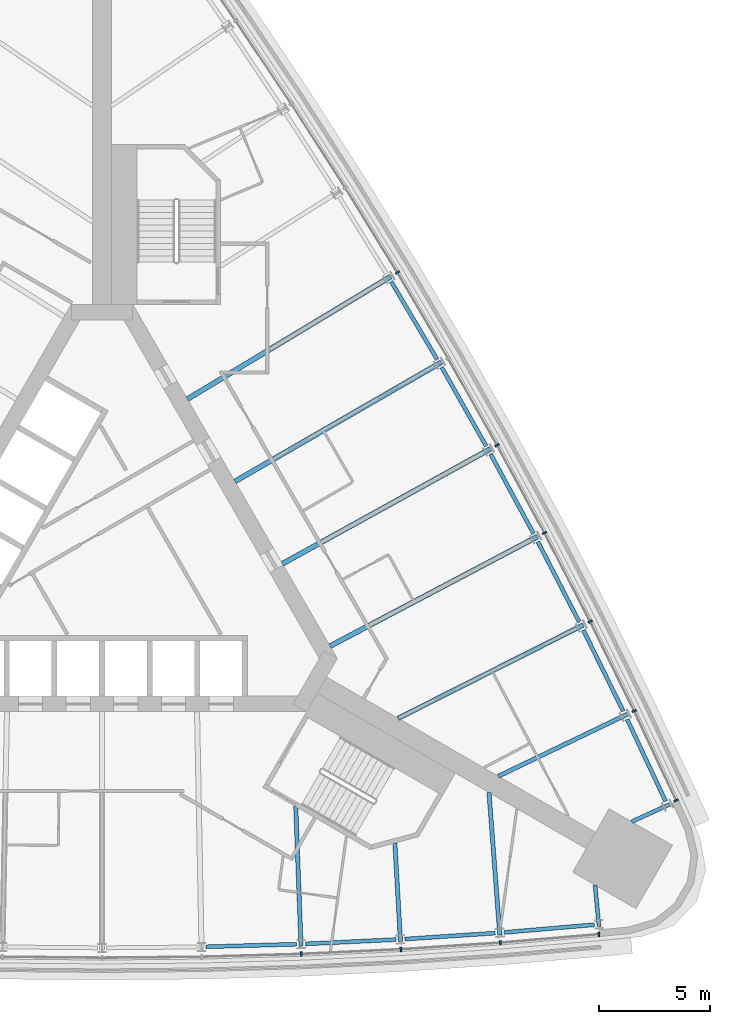
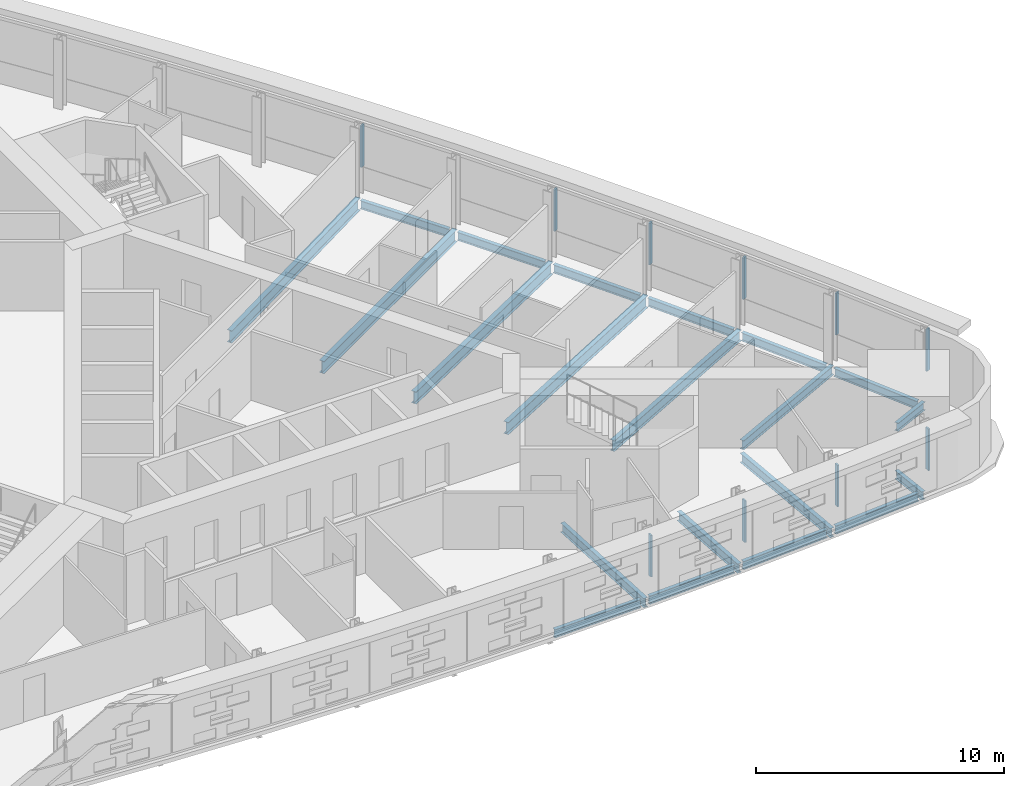
# One storey, part 6 of 15: 21 beams, 10 members, 2 elements without a shape of their own.
"""IFC4 building model written with IfcOpenShell, lengths in metres."""

from ifc_helpers import new_model, si_unit, direction, frame, origin, origin_2d, place, context, subcontext, project, spatial, rectangle, i_section, extrude, material, material_profile, profile_set, type_object, element, aggregate, save


model = new_model("IFC4")

# Units and contexts
model_context = context("Model", 3, precision=1e-05, world=origin(), true_north=direction((0.0, 1.0)))
body_context = subcontext(model_context, "Body", "Model", "MODEL_VIEW")
ifc_project = project(units=[si_unit("LENGTHUNIT", "METRE"), si_unit("AREAUNIT", "SQUARE_METRE"), si_unit("VOLUMEUNIT", "CUBIC_METRE"), si_unit("PLANEANGLEUNIT", "RADIAN"), si_unit("MASSUNIT", "GRAM", prefix="KILO")], contexts=[model_context])

# Site, building, storey
site_placement = place(None, origin())
site = spatial("IfcSite", under=ifc_project, at=site_placement, CompositionType="ELEMENT")
building_placement = place(site_placement, origin())
building = spatial("IfcBuilding", under=site, at=building_placement, Name="Noor Cloister Tower", CompositionType="ELEMENT")
storey_placement = place(building_placement, frame((0.0, 0.0, 45.60009765625)))
storey = spatial("IfcBuildingStorey", under=building, at=storey_placement, Name="L11", CompositionType="ELEMENT", Elevation=45.60009765625)

# Curtain wall, members
ifc_material_1 = material(Name="Aluminium 6063-T6 anodised", Category="aluminium")
curtain_wall_type = type_object("IfcCurtainWallType", Name="Ribbon curtain wall, lower tower CW1", PredefinedType="NOTDEFINED", material=ifc_material_1)
curtain_wall_1_placement = place(storey_placement, origin())
curtain_wall_1 = element("IfcCurtainWall", 1, at=curtain_wall_1_placement, inside=storey, type_object=curtain_wall_type, Name="CW1 L11 S run 2", PredefinedType="NOTDEFINED")
ifc_material_2 = material(Name="Aluminium 6063-T6 anodised", Category="aluminium")
ifc_material_profile_1 = material_profile(ifc_material_2, rectangle(XDim=0.199951171875, YDim=0.080078125, at=origin_2d()), Name="200 x 80 mullion")
ifc_profile_set_1 = profile_set([ifc_material_profile_1], Name="Aluminium 6063-T6 anodised")
member_type = type_object("IfcMemberType", Name="Mullion CW1 80 x 200", PredefinedType="MULLION", material=ifc_profile_set_1)
member_1_placement = place(storey_placement, frame((8.994140625, -17.861083984375, 1.099853515625), z_axis=(0.0, 0.0, 1.0), x_axis=(-0.037822767995, 0.999284463114, 0.0)))
member_1 = element("IfcMember", 2, at=member_1_placement, type_object=member_type, Name="CW1 mullion 8", PredefinedType="MULLION", context=body_context, shape_type="SweptSolid", body=[
    extrude(rectangle(XDim=0.199951171875, YDim=0.080078125, at=origin_2d()), origin(), (0.0, 0.0, 1.0), 2.050048828125),
])
member_2_placement = place(storey_placement, frame((13.487060546875, -17.6484375, 1.099853515625), z_axis=(0.0, 0.0, 1.0), x_axis=(-0.056717235133, 0.998390282023, 0.0)))
member_2 = element("IfcMember", 3, at=member_2_placement, type_object=member_type, Name="CW1 mullion 9", PredefinedType="MULLION", context=body_context, shape_type="SweptSolid", body=[
    extrude(rectangle(XDim=0.199951171875, YDim=0.080078125, at=origin_2d()), origin(), (0.0, 0.0, 1.0), 2.050048828125),
])
member_3_placement = place(storey_placement, frame((17.975341796875, -17.350830078125, 1.099853515625), z_axis=(0.0, 0.0, 1.0), x_axis=(-0.075591408818, 0.997138876442, 0.0)))
member_3 = element("IfcMember", 4, at=member_3_placement, type_object=member_type, Name="CW1 mullion 10", PredefinedType="MULLION", context=body_context, shape_type="SweptSolid", body=[
    extrude(rectangle(XDim=0.199951171875, YDim=0.080078125, at=origin_2d()), origin(), (0.0, 0.0, 1.0), 2.050048828125),
])
member_4_placement = place(storey_placement, frame((22.418212890625, -16.9716796875, 1.099853515625), z_axis=(0.0, 0.0, 1.0), x_axis=(-0.085018766201, 0.996379350144, 0.0)))
member_4 = element("IfcMember", 5, at=member_4_placement, type_object=member_type, Name="CW1 mullion 11", PredefinedType="MULLION", context=body_context, shape_type="SweptSolid", body=[
    extrude(rectangle(XDim=0.199951171875, YDim=0.080078125, at=origin_2d()), origin(), (0.0, 0.0, 1.0), 2.050048828125),
])
aggregate(curtain_wall_1, [member_1, member_2, member_3, member_4])

curtain_wall_2_placement = place(storey_placement, origin())
curtain_wall_2 = element("IfcCurtainWall", 6, at=curtain_wall_2_placement, inside=storey, type_object=curtain_wall_type, Name="CW1 L11 NE run 3", PredefinedType="NOTDEFINED")
member_5_placement = place(storey_placement, frame((25.906982421875, -10.9287109375, 1.099853515625), z_axis=(0.0, 0.0, 1.0), x_axis=(-0.905399212131, -0.424561263744, 0.0)))
member_5 = element("IfcMember", 7, at=member_5_placement, type_object=member_type, Name="CW1 mullion 1", PredefinedType="MULLION", context=body_context, shape_type="SweptSolid", body=[
    extrude(rectangle(XDim=0.199951171875, YDim=0.080078125, at=origin_2d()), origin(), (0.0, 0.0, 1.0), 2.050048828125),
])
member_6_placement = place(storey_placement, frame((24.013916015625, -6.8916015625, 1.099853515625), z_axis=(0.0, 0.0, 1.0), x_axis=(-0.901343302509, -0.433105357877, 0.0)))
member_6 = element("IfcMember", 8, at=member_6_placement, type_object=member_type, Name="CW1 mullion 2", PredefinedType="MULLION", context=body_context, shape_type="SweptSolid", body=[
    extrude(rectangle(XDim=0.199951171875, YDim=0.080078125, at=origin_2d()), origin(), (0.0, 0.0, 1.0), 2.050048828125),
])
member_7_placement = place(storey_placement, frame((22.027587890625, -2.85595703125, 1.099853515625), z_axis=(0.0, 0.0, 1.0), x_axis=(-0.89298996469, -0.450076574554, 0.0)))
member_7 = element("IfcMember", 9, at=member_7_placement, type_object=member_type, Name="CW1 mullion 3", PredefinedType="MULLION", context=body_context, shape_type="SweptSolid", body=[
    extrude(rectangle(XDim=0.199951171875, YDim=0.080078125, at=origin_2d()), origin(), (0.0, 0.0, 1.0), 2.050048828125),
])
member_8_placement = place(storey_placement, frame((19.965087890625, 1.141357421875, 1.099853515625), z_axis=(0.0, 0.0, 1.0), x_axis=(-0.884317114661, -0.466886753632, 0.0)))
member_8 = element("IfcMember", 10, at=member_8_placement, type_object=member_type, Name="CW1 mullion 4", PredefinedType="MULLION", context=body_context, shape_type="SweptSolid", body=[
    extrude(rectangle(XDim=0.199951171875, YDim=0.080078125, at=origin_2d()), origin(), (0.0, 0.0, 1.0), 2.050048828125),
])
member_9_placement = place(storey_placement, frame((17.82763671875, 5.09912109375, 1.099853515625), z_axis=(0.0, 0.0, 1.0), x_axis=(-0.875327855572, -0.48352988042, 0.0)))
member_9 = element("IfcMember", 11, at=member_9_placement, type_object=member_type, Name="CW1 mullion 5", PredefinedType="MULLION", context=body_context, shape_type="SweptSolid", body=[
    extrude(rectangle(XDim=0.199951171875, YDim=0.080078125, at=origin_2d()), origin(), (0.0, 0.0, 1.0), 2.050048828125),
])
member_10_placement = place(storey_placement, frame((13.32958984375, 12.8896484375, 1.099853515625), z_axis=(0.0, 0.0, 1.0), x_axis=(-0.856413087719, -0.516291219356, 0.0)))
member_10 = element("IfcMember", 12, at=member_10_placement, type_object=member_type, Name="CW1 mullion 7", PredefinedType="MULLION", context=body_context, shape_type="SweptSolid", body=[
    extrude(rectangle(XDim=0.199951171875, YDim=0.080078125, at=origin_2d()), origin(), (0.0, 0.0, 1.0), 2.050048828125),
])
aggregate(curtain_wall_2, [member_5, member_6, member_7, member_8, member_9, member_10])

# Beams
ifc_material_3 = material(Name="Steel ASTM A992 Gr 50", Category="steel")
ifc_material_profile_2 = material_profile(ifc_material_3, i_section(OverallWidth=0.177978515625, OverallDepth=0.406005859375, WebThickness=0.0078125, FlangeThickness=0.0126953125, FilletRadius=0.01025390625, at=origin_2d()), Name="W410x60")
ifc_profile_set_2 = profile_set([ifc_material_profile_2], Name="Steel ASTM A992 Gr 50")
beam_type_1 = type_object("IfcBeamType", Name="Radial beam W410x60", PredefinedType="BEAM", material=ifc_profile_set_2)
for number, where, z_axis, x_axis, name in (
    (13, (22.423583984375, -16.616943359375, -0.403076171875), (-0.094348489313, 0.995539232057, 0.0), (-0.995539232057, -0.094348489313, 0.0), "Radial beam S 11 L11"),
    (14, (25.6025390625, -11.111083984375, -0.403076171875), (-0.909401352504, -0.415919679823, 0.0), (0.415919679823, -0.909401352504, 0.0), "Radial beam NE 01 L11"),
):
    element("IfcBeam", number, at=place(storey_placement, frame(where, z_axis=z_axis, x_axis=x_axis)), inside=storey, type_object=beam_type_1, Name=name, PredefinedType="BEAM", context=body_context, shape_type="SweptSolid", body=[
        extrude(i_section(OverallWidth=0.177978515625, OverallDepth=0.406005859375, WebThickness=0.0078125, FlangeThickness=0.0126953125, FilletRadius=0.01025390625, at=origin_2d()), origin(), (0.0, 0.0, 1.0), 1.8759765625),
    ])
ifc_material_4 = material(Name="Steel ASTM A992 Gr 50", Category="steel")
ifc_material_profile_3 = material_profile(ifc_material_4, i_section(OverallWidth=0.19091796875, OverallDepth=0.45703125, WebThickness=0.009033203125, FlangeThickness=0.014404296875, FilletRadius=0.01025390625, at=origin_2d()), Name="W460x74")
ifc_profile_set_3 = profile_set([ifc_material_profile_3], Name="Steel ASTM A992 Gr 50")
beam_type_2 = type_object("IfcBeamType", Name="Radial beam W460x74", PredefinedType="BEAM", material=ifc_profile_set_3)
beam_1_placement = place(storey_placement, frame((8.980712890625, -17.50830078125, -0.4287109375), z_axis=(-0.037835237145, 0.999283991081, 0.0), x_axis=(-0.999283991081, -0.037835237145, 0.0)))
element("IfcBeam", 15, at=beam_1_placement, inside=storey, type_object=beam_type_2, Name="Radial beam S 08 L11", PredefinedType="BEAM", context=body_context, shape_type="SweptSolid", body=[
    extrude(i_section(OverallWidth=0.19091796875, OverallDepth=0.45703125, WebThickness=0.009033203125, FlangeThickness=0.014404296875, FilletRadius=0.01025390625, at=origin_2d()), origin(), (0.0, 0.0, 1.0), 6.30419921875),
])
beam_2_placement = place(storey_placement, frame((13.467041015625, -17.2958984375, -0.4287109375), z_axis=(-0.056706190624, 0.998390909386, 0.0), x_axis=(-0.998390909386, -0.056706190624, 0.0)))
element("IfcBeam", 16, at=beam_2_placement, inside=storey, type_object=beam_type_2, Name="Radial beam S 09 L11", PredefinedType="BEAM", context=body_context, shape_type="SweptSolid", body=[
    extrude(i_section(OverallWidth=0.19091796875, OverallDepth=0.45703125, WebThickness=0.009033203125, FlangeThickness=0.014404296875, FilletRadius=0.01025390625, at=origin_2d()), origin(), (0.0, 0.0, 1.0), 4.45166015625),
])
beam_3_placement = place(storey_placement, frame((17.948486328125, -16.998779296875, -0.4287109375), z_axis=(-0.07556964555, 0.99714052604, 0.0), x_axis=(-0.99714052604, -0.07556964555, 0.0)))
element("IfcBeam", 17, at=beam_3_placement, inside=storey, type_object=beam_type_2, Name="Radial beam S 10 L11", PredefinedType="BEAM", context=body_context, shape_type="SweptSolid", body=[
    extrude(i_section(OverallWidth=0.19091796875, OverallDepth=0.45703125, WebThickness=0.009033203125, FlangeThickness=0.014404296875, FilletRadius=0.01025390625, at=origin_2d()), origin(), (0.0, 0.0, 1.0), 6.445068359375),
])
beam_4_placement = place(storey_placement, frame((23.69580078125, -7.04443359375, -0.4287109375), z_axis=(-0.901339737011, -0.43311277802, 0.0), x_axis=(0.43311277802, -0.901339737011, 0.0)))
element("IfcBeam", 18, at=beam_4_placement, inside=storey, type_object=beam_type_2, Name="Radial beam NE 02 L11", PredefinedType="BEAM", context=body_context, shape_type="SweptSolid", body=[
    extrude(i_section(OverallWidth=0.19091796875, OverallDepth=0.45703125, WebThickness=0.009033203125, FlangeThickness=0.014404296875, FilletRadius=0.01025390625, at=origin_2d()), origin(), (0.0, 0.0, 1.0), 6.4453125),
])
ifc_material_5 = material(Name="Steel ASTM A992 Gr 50", Category="steel")
ifc_material_profile_4 = material_profile(ifc_material_5, i_section(OverallWidth=0.208984375, OverallDepth=0.532958984375, WebThickness=0.01025390625, FlangeThickness=0.015625, FilletRadius=0.0126953125, at=origin_2d()), Name="W530x92")
ifc_profile_set_4 = profile_set([ifc_material_profile_4], Name="Steel ASTM A992 Gr 50")
beam_type_3 = type_object("IfcBeamType", Name="Radial beam W530x92", PredefinedType="BEAM", material=ifc_profile_set_4)
beam_5_placement = place(storey_placement, frame((21.712158203125, -3.014892578125, -0.466552734375), z_axis=(-0.892991905336, -0.450072724128, 0.0), x_axis=(0.450072724128, -0.892991905336, 0.0)))
element("IfcBeam", 19, at=beam_5_placement, inside=storey, type_object=beam_type_3, Name="Radial beam NE 03 L11", PredefinedType="BEAM", context=body_context, shape_type="SweptSolid", body=[
    extrude(i_section(OverallWidth=0.208984375, OverallDepth=0.532958984375, WebThickness=0.01025390625, FlangeThickness=0.015625, FilletRadius=0.0126953125, at=origin_2d()), origin(), (0.0, 0.0, 1.0), 9.351318359375),
])
ifc_material_6 = material(Name="Steel ASTM A992 Gr 50", Category="steel")
ifc_material_profile_5 = material_profile(ifc_material_6, i_section(OverallWidth=0.22802734375, OverallDepth=0.60205078125, WebThickness=0.010498046875, FlangeThickness=0.014892578125, FilletRadius=0.0126953125, at=origin_2d()), Name="W610x101")
ifc_profile_set_5 = profile_set([ifc_material_profile_5], Name="Steel ASTM A992 Gr 50")
beam_type_4 = type_object("IfcBeamType", Name="Radial beam W610x101", PredefinedType="BEAM", material=ifc_profile_set_5)
beam_6_placement = place(storey_placement, frame((19.653076171875, 0.9765625, -0.5009765625), z_axis=(-0.88432578388, -0.466870333139, 0.0), x_axis=(0.466870333139, -0.88432578388, 0.0)))
element("IfcBeam", 20, at=beam_6_placement, inside=storey, type_object=beam_type_4, Name="Radial beam NE 04 L11", PredefinedType="BEAM", context=body_context, shape_type="SweptSolid", body=[
    extrude(i_section(OverallWidth=0.22802734375, OverallDepth=0.60205078125, WebThickness=0.010498046875, FlangeThickness=0.014892578125, FilletRadius=0.0126953125, at=origin_2d()), origin(), (0.0, 0.0, 1.0), 10.587890625),
])
beam_7_placement = place(storey_placement, frame((17.5185546875, 4.928466796875, -0.5009765625), z_axis=(-0.875322538909, -0.483539504982, 0.0), x_axis=(0.483539504982, -0.875322538909, 0.0)))
element("IfcBeam", 21, at=beam_7_placement, inside=storey, type_object=beam_type_4, Name="Radial beam NE 05 L11", PredefinedType="BEAM", context=body_context, shape_type="SweptSolid", body=[
    extrude(i_section(OverallWidth=0.22802734375, OverallDepth=0.60205078125, WebThickness=0.010498046875, FlangeThickness=0.014892578125, FilletRadius=0.0126953125, at=origin_2d()), origin(), (0.0, 0.0, 1.0), 10.70947265625),
])
beam_8_placement = place(storey_placement, frame((15.309814453125, 8.839111328125, -0.5009765625), z_axis=(-0.866026365697, -0.499998333915, 0.0), x_axis=(0.499998333915, -0.866026365697, 0.0)))
element("IfcBeam", 22, at=beam_8_placement, inside=storey, type_object=beam_type_4, Name="Radial beam NE 06 L11", PredefinedType="BEAM", context=body_context, shape_type="SweptSolid", body=[
    extrude(i_section(OverallWidth=0.22802734375, OverallDepth=0.60205078125, WebThickness=0.010498046875, FlangeThickness=0.014892578125, FilletRadius=0.0126953125, at=origin_2d()), origin(), (0.0, 0.0, 1.0), 10.75),
])
beam_9_placement = place(storey_placement, frame((13.02734375, 12.707275390625, -0.5009765625), z_axis=(-0.856416913389, -0.51628487336, 0.0), x_axis=(0.51628487336, -0.856416913389, 0.0)))
element("IfcBeam", 23, at=beam_9_placement, inside=storey, type_object=beam_type_4, Name="Radial beam NE 07 L11", PredefinedType="BEAM", context=body_context, shape_type="SweptSolid", body=[
    extrude(i_section(OverallWidth=0.22802734375, OverallDepth=0.60205078125, WebThickness=0.010498046875, FlangeThickness=0.014892578125, FilletRadius=0.0126953125, at=origin_2d()), origin(), (0.0, 0.0, 1.0), 10.709228515625),
])
ifc_material_7 = material(Name="Steel ASTM A992 Gr 50", Category="steel")
ifc_material_profile_6 = material_profile(ifc_material_7, i_section(OverallWidth=0.177978515625, OverallDepth=0.406005859375, WebThickness=0.0078125, FlangeThickness=0.0126953125, FilletRadius=0.01025390625, at=origin_2d()), Name="W410x60")
ifc_profile_set_6 = profile_set([ifc_material_profile_6], Name="Steel ASTM A992 Gr 50")
beam_type_5 = type_object("IfcBeamType", Name="Spandrel beam W410x60", PredefinedType="SPANDREL", material=ifc_profile_set_6)
for number, where, z_axis, x_axis, name in (
    (24, (4.691162109375, -17.532958984375, -0.403076171875), (0.999597091295, 0.028384063747, 0.0), (-0.028384063747, 0.999597091295, 0.0), "Spandrel beam S 07 L11"),
    (25, (9.1787109375, -17.40185546875, -0.403076171875), (0.998882288685, 0.047267042974, 0.0), (-0.047267042974, 0.998882288685, 0.0), "Spandrel beam S 08 L11"),
    (26, (13.6630859375, -17.185791015625, -0.403076171875), (0.997809679637, 0.066150156627, 0.0), (-0.066150156627, 0.997809679637, 0.0), "Spandrel beam S 09 L11"),
    (27, (18.142578125, -16.885009765625, -0.403076171875), (0.996378105805, 0.085033348001, 0.0), (-0.085033348001, 0.996378105805, 0.0), "Spandrel beam S 10 L11"),
):
    element("IfcBeam", number, at=place(storey_placement, frame(where, z_axis=z_axis, x_axis=x_axis)), inside=storey, type_object=beam_type_5, Name=name, PredefinedType="SPANDREL", context=body_context, shape_type="SweptSolid", body=[
        extrude(i_section(OverallWidth=0.177978515625, OverallDepth=0.406005859375, WebThickness=0.0078125, FlangeThickness=0.0126953125, FilletRadius=0.01025390625, at=origin_2d()), origin(), (0.0, 0.0, 1.0), 4.085693359375),
    ])
for number, where, z_axis, x_axis, name in (
    (28, (25.4287109375, -10.968505859375, -0.403076171875), (-0.424579318133, 0.905390745818, 0.0), (-0.905390745818, -0.424579318133, 0.0), "Spandrel beam NE 01 L11"),
    (29, (23.51904296875, -6.9052734375, -0.403076171875), (-0.441611503517, 0.897206375346, 0.0), (-0.897206375346, -0.441611503517, 0.0), "Spandrel beam NE 02 L11"),
):
    element("IfcBeam", number, at=place(storey_placement, frame(where, z_axis=z_axis, x_axis=x_axis)), inside=storey, type_object=beam_type_5, Name=name, PredefinedType="SPANDREL", context=body_context, shape_type="SweptSolid", body=[
        extrude(i_section(OverallWidth=0.177978515625, OverallDepth=0.406005859375, WebThickness=0.0078125, FlangeThickness=0.0126953125, FilletRadius=0.01025390625, at=origin_2d()), origin(), (0.0, 0.0, 1.0), 4.08544921875),
    ])
beam_10_placement = place(storey_placement, frame((21.532958984375, -2.87890625, -0.403076171875), z_axis=(-0.458484598021, 0.888702353647, 0.0), x_axis=(-0.888702353647, -0.458484598021, 0.0)))
element("IfcBeam", 30, at=beam_10_placement, inside=storey, type_object=beam_type_5, Name="Spandrel beam NE 03 L11", PredefinedType="SPANDREL", context=body_context, shape_type="SweptSolid", body=[
    extrude(i_section(OverallWidth=0.177978515625, OverallDepth=0.406005859375, WebThickness=0.0078125, FlangeThickness=0.0126953125, FilletRadius=0.01025390625, at=origin_2d()), origin(), (0.0, 0.0, 1.0), 4.085205078125),
])
beam_11_placement = place(storey_placement, frame((19.47119140625, 1.109130859375, -0.403076171875), z_axis=(-0.47524329356, 0.879854426554, 0.0), x_axis=(-0.879854426554, -0.47524329356, 0.0)))
element("IfcBeam", 31, at=beam_11_placement, inside=storey, type_object=beam_type_5, Name="Spandrel beam NE 04 L11", PredefinedType="SPANDREL", context=body_context, shape_type="SweptSolid", body=[
    extrude(i_section(OverallWidth=0.177978515625, OverallDepth=0.406005859375, WebThickness=0.0078125, FlangeThickness=0.0126953125, FilletRadius=0.01025390625, at=origin_2d()), origin(), (0.0, 0.0, 1.0), 4.085693359375),
])
for number, where, z_axis, x_axis, name in (
    (32, (17.334228515625, 5.057373046875, -0.403076171875), (-0.49175004503, 0.870736408572, 0.0), (-0.870736408572, -0.49175004503, 0.0), "Spandrel beam NE 05 L11"),
    (33, (15.123046875, 8.964599609375, -0.403076171875), (-0.508189643386, 0.861245195258, 0.0), (-0.861245195258, -0.508189643386, 0.0), "Spandrel beam NE 06 L11"),
):
    element("IfcBeam", number, at=place(storey_placement, frame(where, z_axis=z_axis, x_axis=x_axis)), inside=storey, type_object=beam_type_5, Name=name, PredefinedType="SPANDREL", context=body_context, shape_type="SweptSolid", body=[
        extrude(i_section(OverallWidth=0.177978515625, OverallDepth=0.406005859375, WebThickness=0.0078125, FlangeThickness=0.0126953125, FilletRadius=0.01025390625, at=origin_2d()), origin(), (0.0, 0.0, 1.0), 4.08544921875),
    ])

save(model, "model.ifc")
